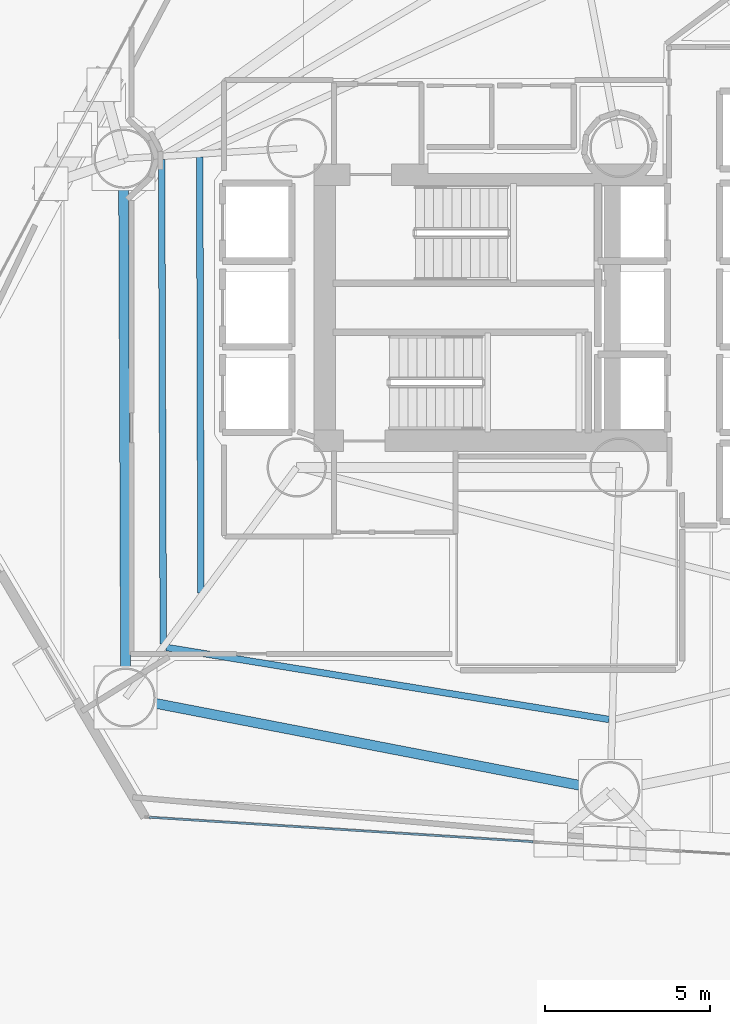
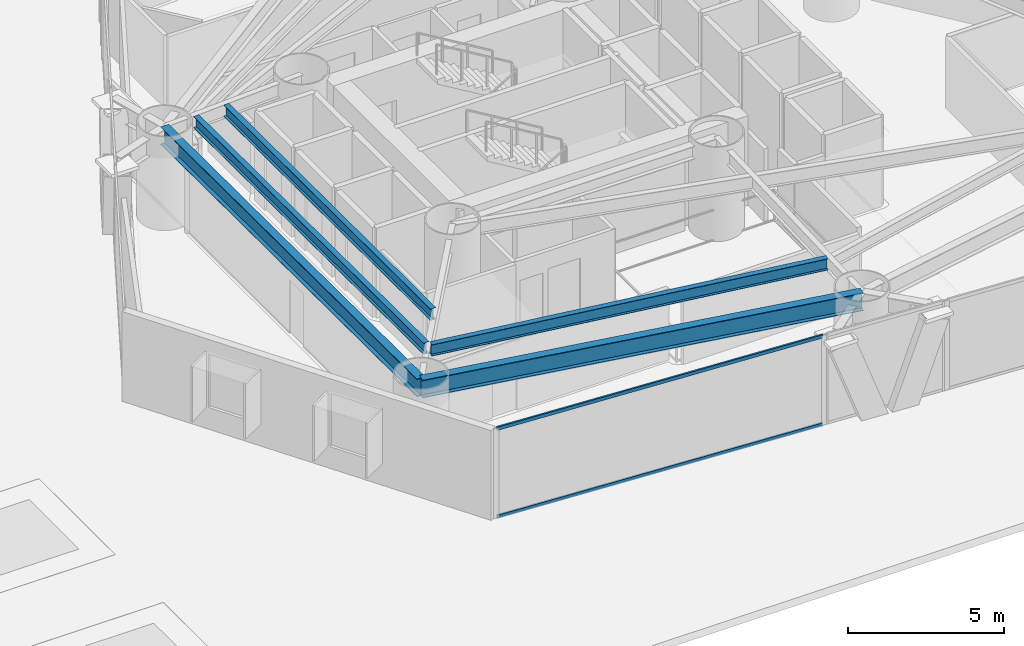
# One storey, part 3 of 22: 5 beams, 2 members, 1 element without a shape of its own.
"""IFC4 building model written with IfcOpenShell, lengths in metres."""

import ifcopenshell
import ifcopenshell.guid

model = None  # the IFC model being written
_history = None  # IfcOwnerHistory: only IFC2X3 demands one
_inside = {}  # id of a spatial element -> (the spatial element, [elements in it])
_under = {}  # id of a project, library or spatial element -> (it, [spatial elements below it])
_declared = {}  # id of a project -> (the project, [libraries it declares])
_typed = {}  # id of a type object -> (the type object, [elements of that type])
_made_of = {}  # id of a material, layer set ... -> (it, [elements and type objects made of it])


def new_model(schema):
    """Start an empty IFC model of exactly this schema.

    Asked for "IFC4X3", IfcOpenShell would pick the latest addendum, in which some entities
    have other attributes; the version numbers below select the first issue.
    IFC2X3 requires an IfcOwnerHistory on every rooted entity: one is made here for all.
    """
    global model, _history
    if schema == "IFC4X3":
        model = ifcopenshell.file(schema_version=(4, 3, 0, 0))
    else:
        model = ifcopenshell.file(schema=schema)
    _inside.clear()
    _under.clear()
    _declared.clear()
    _typed.clear()
    _made_of.clear()
    _history = None
    if model.schema == "IFC2X3":
        org = make("IfcOrganization", Name="unknown")
        user = make(
            "IfcPersonAndOrganization",
            ThePerson=make("IfcPerson", FamilyName="unknown"),
            TheOrganization=org,
        )
        app = make(
            "IfcApplication",
            ApplicationDeveloper=org,
            Version="unknown",
            ApplicationFullName="unknown",
            ApplicationIdentifier="unknown",
        )
        _history = make(
            "IfcOwnerHistory",
            OwningUser=user,
            OwningApplication=app,
            ChangeAction="ADDED",
            CreationDate=0,
        )
    return model


def make(cls, **values):
    """One entity of the class cls with the attributes given. An attribute that is None is left unset."""
    return model.create_entity(
        cls, **{name: value for name, value in values.items() if value is not None}
    )


def rooted(cls, **values):
    """An entity with a GlobalId (a new one), such as an element, a storey or a relation."""
    return make(cls, GlobalId=ifcopenshell.guid.new(), OwnerHistory=_history, **values)


def si_unit(unit_type, name, prefix=None):
    """IfcSIUnit, for example si_unit("LENGTHUNIT", "METRE", prefix="MILLI")."""
    return make("IfcSIUnit", UnitType=unit_type, Prefix=prefix, Name=name)


def assignment(units):
    """IfcUnitAssignment: the units of a project."""
    return None if units is None else make("IfcUnitAssignment", Units=units)


def point(xyz):
    """IfcCartesianPoint."""
    return None if xyz is None else make("IfcCartesianPoint", Coordinates=xyz)


def direction(xyz):
    """IfcDirection."""
    return None if xyz is None else make("IfcDirection", DirectionRatios=xyz)


def frame(location, z_axis=None, x_axis=None):
    """IfcAxis2Placement3D, a coordinate frame: its origin and axes. An axis left out is left unset."""
    return make(
        "IfcAxis2Placement3D",
        Location=point(location),
        Axis=direction(z_axis),
        RefDirection=direction(x_axis),
    )


def frame_2d(location, x_axis=None):
    """IfcAxis2Placement2D, a coordinate frame in the plane: its origin and x axis."""
    return make(
        "IfcAxis2Placement2D", Location=point(location), RefDirection=direction(x_axis)
    )


def origin():
    """The frame at (0, 0, 0) with its axes left unset."""
    return frame((0.0, 0.0, 0.0))


def origin_2d():
    """The frame at (0, 0) in the plane with its x axis left unset."""
    return frame_2d((0.0, 0.0))


def place(relative_to, where):
    """IfcLocalPlacement: puts the frame where relative to a parent placement (None: the world)."""
    return make(
        "IfcLocalPlacement", PlacementRelTo=relative_to, RelativePlacement=where
    )


def context(
    kind, dimensions, precision=None, world=None, true_north=None, identifier=None
):
    """IfcGeometricRepresentationContext, for example the 3D "Model" context."""
    return make(
        "IfcGeometricRepresentationContext",
        ContextIdentifier=identifier,
        ContextType=kind,
        CoordinateSpaceDimension=dimensions,
        Precision=precision,
        WorldCoordinateSystem=world,
        TrueNorth=true_north,
    )


def subcontext(parent, identifier, kind, view, scale=None):
    """IfcGeometricRepresentationSubContext, for example "Body" below "Model"."""
    return make(
        "IfcGeometricRepresentationSubContext",
        ContextIdentifier=identifier,
        ContextType=kind,
        ParentContext=parent,
        TargetScale=scale,
        TargetView=view,
    )


def project(units=None, contexts=None):
    """IfcProject with its units and contexts."""
    return rooted(
        "IfcProject",
        Name="project",
        RepresentationContexts=contexts,
        UnitsInContext=assignment(units),
    )


def spatial(cls, under=None, at=None, **own):
    """A site, building, storey or space (cls), placed at a placement, below another one or the project."""
    s = rooted(cls, ObjectPlacement=at, **own)
    if under is not None:
        _under.setdefault(under.id(), (under, []))[1].append(s)
    return s


def profile(cls, at=None, kind="AREA", **sizes):
    """A parametric profile (cls). Its sizes go by their IFC names, for example OverallWidth=200.0."""
    return make(cls, ProfileType=kind, Position=at, **sizes)


def hollow_rectangle(**sizes):
    """IfcRectangleHollowProfileDef."""
    return profile("IfcRectangleHollowProfileDef", **sizes)


def i_section(**sizes):
    """IfcIShapeProfileDef."""
    return profile("IfcIShapeProfileDef", **sizes)


def extrude(swept, where, along, depth):
    """IfcExtrudedAreaSolid: the profile swept, set in the frame where, extruded along a direction by depth."""
    return make(
        "IfcExtrudedAreaSolid",
        SweptArea=swept,
        Position=where,
        ExtrudedDirection=direction(along),
        Depth=depth,
    )


def shape(context_of_items, identifier, shape_type, items):
    """IfcShapeRepresentation: the items that make up one representation, for example the "Body"."""
    return make(
        "IfcShapeRepresentation",
        ContextOfItems=context_of_items,
        RepresentationIdentifier=identifier,
        RepresentationType=shape_type,
        Items=items,
    )


def material(Name=None, Category=None):
    """IfcMaterial."""
    return make("IfcMaterial", Name=Name, Category=Category)


def layer(
    of_material, thickness, ventilated=None, Name=None, Category=None, Priority=None
):
    """IfcMaterialLayer: one layer of a wall or slab, of a material (None: an air gap)."""
    return make(
        "IfcMaterialLayer",
        Material=of_material,
        LayerThickness=thickness,
        IsVentilated=ventilated,
        Name=Name,
        Category=Category,
        Priority=Priority,
    )


def layer_set(layers, Name=None):
    """IfcMaterialLayerSet."""
    return make("IfcMaterialLayerSet", MaterialLayers=layers, LayerSetName=Name)


def material_profile(
    of_material, cross_section, Name=None, Category=None, Priority=None
):
    """IfcMaterialProfile: a cross section and its material."""
    return make(
        "IfcMaterialProfile",
        Name=Name,
        Material=of_material,
        Profile=cross_section,
        Priority=Priority,
        Category=Category,
    )


def profile_set(profiles, Name=None, composite=None):
    """IfcMaterialProfileSet."""
    return make(
        "IfcMaterialProfileSet",
        Name=Name,
        MaterialProfiles=profiles,
        CompositeProfile=composite,
    )


def made_of(thing, what):
    """Note that an element or type object is made of a material, layer set ...; save() writes the relation."""
    if what is not None:
        _made_of.setdefault(what.id(), (what, []))[1].append(thing)
    return thing


def type_object(cls, material=None, **own):
    """A type object (cls), such as IfcWallType, which elements share."""
    return made_of(rooted(cls, **own), material)


def element(
    cls,
    number,
    at=None,
    inside=None,
    cuts=None,
    type_object=None,
    material=None,
    context=None,
    identifier="Body",
    shape_type=None,
    held_by="IfcProductDefinitionShape",
    body=None,
    shapes=None,
    **own,
):
    """One element of the class cls, such as IfcWall. Its Tag is "e" and its number.

    at: its placement. inside: the storey or other place that contains it. cuts: it is an
    opening in that element (IfcRelVoidsElement). A single representation is given by context,
    identifier, shape_type and body (its items); several are given by shapes. held_by: the class
    of the entity that holds the representations. save() writes the other relations.
    """
    e = rooted(cls, Tag="e%d" % number, ObjectPlacement=at, **own)
    if body is not None:
        shapes = [shape(context, identifier, shape_type, body)]
    if shapes is not None:
        e.Representation = make(held_by, Representations=shapes)
    if inside is not None:
        _inside.setdefault(inside.id(), (inside, []))[1].append(e)
    if cuts is not None:
        rooted(
            "IfcRelVoidsElement", RelatingBuildingElement=cuts, RelatedOpeningElement=e
        )
    if type_object is not None:
        _typed.setdefault(type_object.id(), (type_object, []))[1].append(e)
    return made_of(e, material)


def aggregate(whole, parts):
    """IfcRelAggregates: a whole, such as a stair, and the parts it consists of."""
    return rooted("IfcRelAggregates", RelatingObject=whole, RelatedObjects=parts)


def save(model, path):
    """Write the relations noted so far, then the file.

    IfcRelAggregates (storeys below a building ...), IfcRelContainedInSpatialStructure (elements
    in a storey), IfcRelDefinesByType, IfcRelAssociatesMaterial and IfcRelDeclares: one each for
    every whole, place, type object, material and project.
    """
    for whole, parts in _under.values():
        aggregate(whole, parts)
    for where, things in _inside.values():
        rooted(
            "IfcRelContainedInSpatialStructure",
            RelatedElements=things,
            RelatingStructure=where,
        )
    for kind, things in _typed.values():
        rooted("IfcRelDefinesByType", RelatedObjects=things, RelatingType=kind)
    for what, things in _made_of.values():
        rooted("IfcRelAssociatesMaterial", RelatedObjects=things, RelatingMaterial=what)
    for by, libraries in _declared.values():
        rooted("IfcRelDeclares", RelatingContext=by, RelatedDefinitions=libraries)
    model.write(path)


model = new_model("IFC4")

# Units and contexts
model_context = context("Model", 3, precision=1e-05, world=origin(), true_north=direction((0.0, 1.0)))
body_context = subcontext(model_context, "Body", "Model", "MODEL_VIEW")
ifc_project = project(units=[si_unit("LENGTHUNIT", "METRE"), si_unit("AREAUNIT", "SQUARE_METRE"), si_unit("VOLUMEUNIT", "CUBIC_METRE"), si_unit("PLANEANGLEUNIT", "RADIAN"), si_unit("MASSUNIT", "GRAM", prefix="KILO")], contexts=[model_context])

# Site, building, storey
site_placement = place(None, origin())
site = spatial("IfcSite", under=ifc_project, at=site_placement, CompositionType="ELEMENT")
building_placement = place(site_placement, origin())
building = spatial("IfcBuilding", under=site, at=building_placement, Name="Qianvela Tower", CompositionType="ELEMENT")
storey_placement = place(building_placement, frame((0.0, 0.0, 25.699951171875)))
storey = spatial("IfcBuildingStorey", under=building, at=storey_placement, Name="L05", CompositionType="ELEMENT", Elevation=25.699951171875)

# Beams
ifc_material_1 = material(Name="Steel Q355B", Category="steel")
ifc_material_profile_1 = material_profile(ifc_material_1, i_section(OverallWidth=0.199951171875, OverallDepth=0.449951171875, WebThickness=0.009033203125, FlangeThickness=0.013916015625, at=origin_2d()), Name="HN450x200x9x14")
ifc_profile_set_1 = profile_set([ifc_material_profile_1], Name="Steel Q355B")
beam_type_1 = type_object("IfcBeamType", Name="BM-HN450-JOIST", PredefinedType="JOIST", material=ifc_profile_set_1)
beam_1_placement = place(storey_placement, frame((25.653564453125, 33.273681640625, 3.29296875), z_axis=(0.002747039783, -0.999996226879, 0.0), x_axis=(0.999996226879, 0.002747039783, 0.0)))
element("IfcBeam", 1, at=beam_1_placement, inside=storey, type_object=beam_type_1, Name="L05 Secondary Composite Floor Joist 4.2", PredefinedType="JOIST", context=body_context, shape_type="SweptSolid", body=[
    extrude(i_section(OverallWidth=0.199951171875, OverallDepth=0.449951171875, WebThickness=0.009033203125, FlangeThickness=0.013916015625, at=origin_2d()), origin(), (0.0, 0.0, 1.0), 13.2421875),
])
beam_2_placement = place(storey_placement, frame((24.49609375, 33.202880859375, 3.29296875), z_axis=(0.003452376186, -0.999994040532, 0.0), x_axis=(0.999994040532, 0.003452376186, 0.0)))
element("IfcBeam", 2, at=beam_2_placement, inside=storey, type_object=beam_type_1, Name="L05 Secondary Composite Floor Joist 4.3", PredefinedType="JOIST", context=body_context, shape_type="SweptSolid", body=[
    extrude(i_section(OverallWidth=0.199951171875, OverallDepth=0.449951171875, WebThickness=0.009033203125, FlangeThickness=0.013916015625, at=origin_2d()), origin(), (0.0, 0.0, 1.0), 14.708984375),
])
beam_3_placement = place(storey_placement, frame((24.641845703125, 18.38232421875, 3.29296875), z_axis=(0.987021609832, -0.160587489316, 0.0), x_axis=(0.160587489316, 0.987021609832, 0.0)))
element("IfcBeam", 3, at=beam_3_placement, inside=storey, type_object=beam_type_1, Name="L05 Secondary Composite Floor Joist 5.3", PredefinedType="JOIST", context=body_context, shape_type="SweptSolid", body=[
    extrude(i_section(OverallWidth=0.199951171875, OverallDepth=0.449951171875, WebThickness=0.009033203125, FlangeThickness=0.013916015625, at=origin_2d()), origin(), (0.0, 0.0, 1.0), 13.621826171875),
])
ifc_material_2 = material(Name="Steel Q355B", Category="steel")
ifc_material_profile_2 = material_profile(ifc_material_2, i_section(OverallWidth=0.300048828125, OverallDepth=0.699951171875, WebThickness=0.012939453125, FlangeThickness=0.02392578125, at=origin_2d()), Name="HN700x300x13x24")
ifc_profile_set_2 = profile_set([ifc_material_profile_2], Name="Steel Q355B")
beam_type_2 = type_object("IfcBeamType", Name="BM-HN700-SPAND", PredefinedType="SPANDREL", material=ifc_profile_set_2)
beam_4_placement = place(storey_placement, frame((23.337890625, 33.22802734375, 3.16796875), z_axis=(0.004042148861, -0.999991830483, 0.0), x_axis=(0.999991830483, 0.004042148861, 0.0)))
element("IfcBeam", 4, at=beam_4_placement, inside=storey, type_object=beam_type_2, Name="L05 Perimeter Ring Spandrel Girder 4", PredefinedType="SPANDREL", context=body_context, shape_type="SweptSolid", body=[
    extrude(i_section(OverallWidth=0.300048828125, OverallDepth=0.699951171875, WebThickness=0.012939453125, FlangeThickness=0.02392578125, at=origin_2d()), origin(), (0.0, 0.0, 1.0), 16.3681640625),
])
beam_5_placement = place(storey_placement, frame((23.404052734375, 16.860107421875, 3.16796875), z_axis=(0.981833040292, -0.189746886646, 0.0), x_axis=(0.189746886646, 0.981833040292, 0.0)))
element("IfcBeam", 5, at=beam_5_placement, inside=storey, type_object=beam_type_2, Name="L05 Perimeter Ring Spandrel Girder 5", PredefinedType="SPANDREL", context=body_context, shape_type="SweptSolid", body=[
    extrude(i_section(OverallWidth=0.300048828125, OverallDepth=0.699951171875, WebThickness=0.012939453125, FlangeThickness=0.02392578125, at=origin_2d()), origin(), (0.0, 0.0, 1.0), 14.98828125),
])

# Curtain wall, members
ifc_material_3 = material(Name="Anodised Architectural Aluminium and Low-E Glass", Category="aluminium")
ifc_layer = layer(ifc_material_3, 0.179931640625)
ifc_layer_set = layer_set([ifc_layer], Name="Anodised Architectural Aluminium and Low-E Glass")
curtain_wall_type = type_object("IfcCurtainWallType", Name="CW-COLIV-Z12", PredefinedType="USERDEFINED", material=ifc_layer_set)
curtain_wall_placement = place(storey_placement, origin())
curtain_wall = element("IfcCurtainWall", 6, at=curtain_wall_placement, inside=storey, type_object=curtain_wall_type, Name="L05 CW-COLIV-Z12 Curtain Wall 06A", ObjectType="CURTAIN_WALL_SYSTEM", PredefinedType="USERDEFINED")
ifc_material_4 = material(Name="Anodised Architectural Aluminium 6063-T6", Category="aluminium")
ifc_material_profile_3 = material_profile(ifc_material_4, hollow_rectangle(XDim=0.06494140625, YDim=0.1298828125, WallThickness=0.00439453125, at=origin_2d()), Name="ALU-TRAN-65x130")
ifc_profile_set_3 = profile_set([ifc_material_profile_3], Name="Anodised Architectural Aluminium 6063-T6")
member_type = type_object("IfcMemberType", Name="CW-COLIV-Z12-TRAN", PredefinedType="USERDEFINED", material=ifc_profile_set_3)
member_1_placement = place(storey_placement, frame((24.11279296875, 13.224365234375, 0.032470703125), z_axis=(0.997975856739, -0.063593941274, 0.0), x_axis=(0.063593941274, 0.997975856739, 0.0)))
member_1 = element("IfcMember", 7, at=member_1_placement, type_object=member_type, Name="CW-3 transom 1.1", ObjectType="TRANSOM", PredefinedType="USERDEFINED", context=body_context, shape_type="SweptSolid", body=[
    extrude(hollow_rectangle(XDim=0.06494140625, YDim=0.1298828125, WallThickness=0.00439453125, at=origin_2d()), origin(), (0.0, 0.0, 1.0), 11.68994140625),
])
member_2_placement = place(storey_placement, frame((24.11279296875, 13.224365234375, 3.487548828125), z_axis=(0.997975856739, -0.063593941274, 0.0), x_axis=(0.063593941274, 0.997975856739, 0.0)))
member_2 = element("IfcMember", 8, at=member_2_placement, type_object=member_type, Name="CW-3 transom 1.2", ObjectType="TRANSOM", PredefinedType="USERDEFINED", context=body_context, shape_type="SweptSolid", body=[
    extrude(hollow_rectangle(XDim=0.06494140625, YDim=0.1298828125, WallThickness=0.00439453125, at=origin_2d()), origin(), (0.0, 0.0, 1.0), 11.68994140625),
])
aggregate(curtain_wall, [member_1, member_2])

save(model, "model.ifc")
